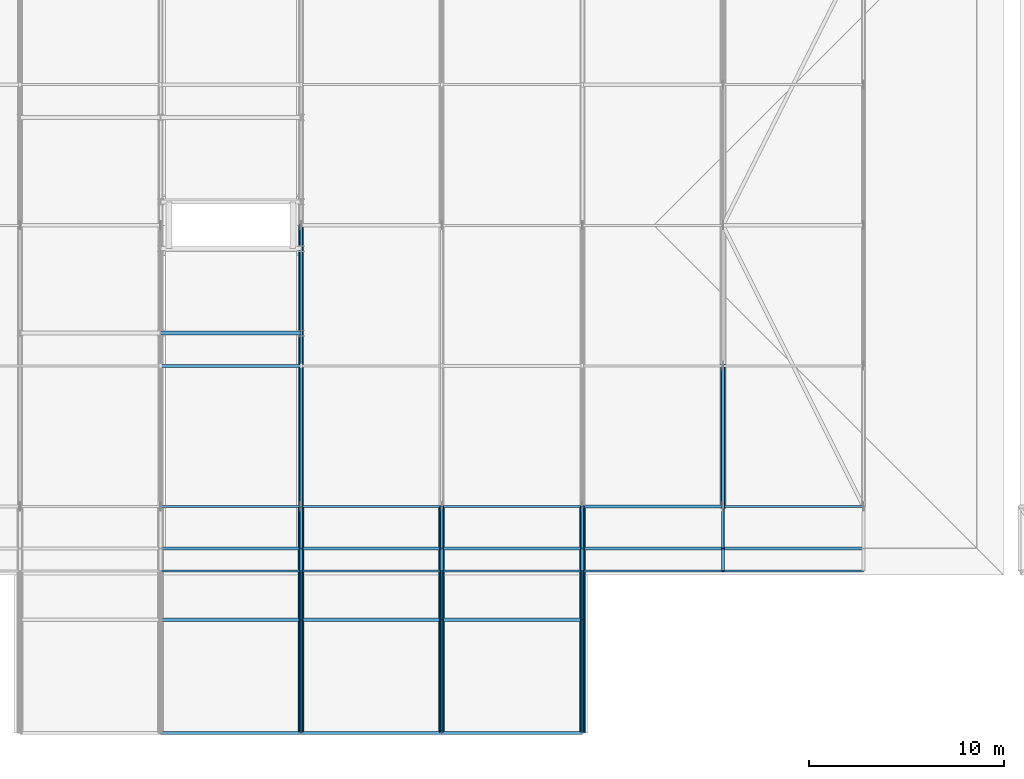
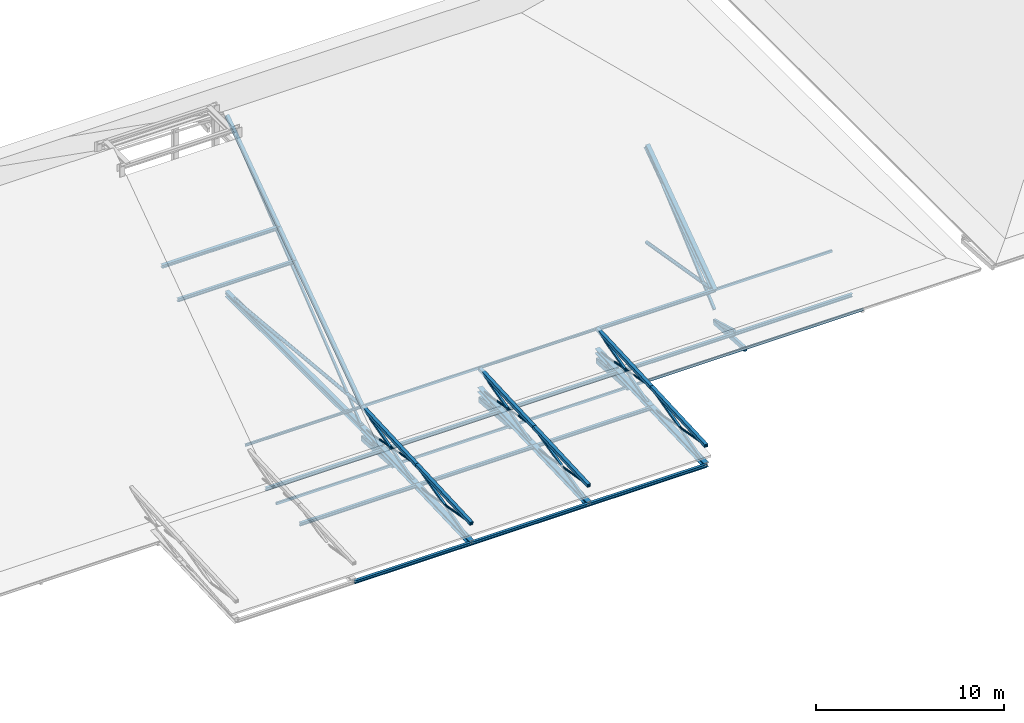
# One storey, part 8 of 100: 61 members, 1 beam.
"""IFC4 building model written with IfcOpenShell, lengths in metres."""

from ifc_helpers import new_model, si_unit, direction, frame, origin, origin_2d, place, context, subcontext, project, spatial, rectangle, hollow_rectangle, hollow_circle, i_section, extrude, material, material_profile, profile_set, type_object, element, save


model = new_model("IFC4")

# Units and contexts
model_context = context("Model", 3, precision=1e-05, world=origin(), true_north=direction((0.0, 1.0)))
body_context = subcontext(model_context, "Body", "Model", "MODEL_VIEW")
ifc_project = project(units=[si_unit("LENGTHUNIT", "METRE"), si_unit("AREAUNIT", "SQUARE_METRE"), si_unit("VOLUMEUNIT", "CUBIC_METRE"), si_unit("PLANEANGLEUNIT", "RADIAN"), si_unit("MASSUNIT", "GRAM", prefix="KILO")], contexts=[model_context])

# Site, building, storey
site_placement = place(None, origin())
site = spatial("IfcSite", under=ifc_project, at=site_placement, CompositionType="ELEMENT")
building_placement = place(site_placement, origin())
building = spatial("IfcBuilding", under=site, at=building_placement, Name="Steenspoor Specialist Clinic", CompositionType="ELEMENT")
storey_placement = place(building_placement, frame((0.0, 0.0, 9.0)))
storey = spatial("IfcBuildingStorey", under=building, at=storey_placement, Name="L02", CompositionType="ELEMENT", Elevation=9.0)

# Beam
ifc_material_1 = material(Name="Steel A992 Grade 50", Category="steel")
ifc_material_profile_1 = material_profile(ifc_material_1, i_section(OverallWidth=0.2041015625, OverallDepth=0.2060546875, WebThickness=0.0078125, FlangeThickness=0.0126953125, at=origin_2d()), Name="W200X52")
ifc_profile_set_1 = profile_set([ifc_material_profile_1], Name="Steel A992 Grade 50")
beam_type = type_object("IfcBeamType", Name="BM-ST-W200X52", PredefinedType="JOIST", material=ifc_profile_set_1)
beam_placement = place(storey_placement, frame((74.0, 21.924072265625, 7.814208984375), z_axis=(1.0, 0.0, 0.0), x_axis=(0.0, 1.0, 0.0)))
element("IfcBeam", 1, at=beam_placement, inside=storey, type_object=beam_type, Name="Roof Sub-Facet Bearer V1 M S", PredefinedType="JOIST", context=body_context, shape_type="SweptSolid", body=[
    extrude(i_section(OverallWidth=0.2041015625, OverallDepth=0.2060546875, WebThickness=0.0078125, FlangeThickness=0.0126953125, at=origin_2d()), origin(), (0.0, 0.0, 1.0), 7.199951171875),
])

# Members
ifc_material_2 = material(Name="Steel A500 Grade C", Category="steel")
ifc_material_profile_2 = material_profile(ifc_material_2, hollow_rectangle(XDim=0.126953125, YDim=0.126953125, WallThickness=0.0087890625, at=origin_2d()), Name="HSS127X127X9.5")
ifc_profile_set_2 = profile_set([ifc_material_profile_2], Name="Steel A500 Grade C")
member_type_1 = type_object("IfcMemberType", Name="MEM-BRACE-H127A", PredefinedType="BRACE", material=ifc_profile_set_2)
member_1_placement = place(storey_placement, frame((81.199951171875, 13.050048828125, 0.201416015625), z_axis=(0.0, 0.780678951437, 0.62493229616), x_axis=(-1.0, 0.0, 0.0)))
element("IfcMember", 2, at=member_1_placement, inside=storey, type_object=member_type_1, Name="ROOF TRUSS Web Brace V1 6.1", PredefinedType="BRACE", context=body_context, shape_type="SweptSolid", body=[
    extrude(hollow_rectangle(XDim=0.126953125, YDim=0.126953125, WallThickness=0.0087890625, at=origin_2d()), origin(), (0.0, 0.0, 1.0), 18.4453125),
])
member_2_placement = place(storey_placement, frame((81.199951171875, 13.050048828125, 1.580078125), z_axis=(0.0, -0.964051423942, -0.265715735319), x_axis=(1.0, 0.0, 0.0)))
element("IfcMember", 3, at=member_2_placement, inside=storey, type_object=member_type_1, Name="ROOF TRUSS Entrance Canopy Web Diagonal V1 6.1", PredefinedType="BRACE", context=body_context, shape_type="SweptSolid", body=[
    extrude(hollow_rectangle(XDim=0.126953125, YDim=0.126953125, WallThickness=0.0087890625, at=origin_2d()), origin(), (0.0, 0.0, 1.0), 6.016357421875),
])
member_3_placement = place(storey_placement, frame((81.199951171875, 7.25, 1.30029296875), z_axis=(0.0, -0.966560323044, -0.256439353292), x_axis=(1.0, 0.0, 0.0)))
element("IfcMember", 4, at=member_3_placement, inside=storey, type_object=member_type_1, Name="ROOF TRUSS Entrance Canopy Web Diagonal V1 6.2", PredefinedType="BRACE", context=body_context, shape_type="SweptSolid", body=[
    extrude(hollow_rectangle(XDim=0.126953125, YDim=0.126953125, WallThickness=0.0087890625, at=origin_2d()), origin(), (0.0, 0.0, 1.0), 6.000732421875),
])
member_4_placement = place(storey_placement, frame((88.39990234375, 13.050048828125, 1.514892578125), z_axis=(0.0, -0.966781869286, -0.25560285057), x_axis=(1.0, 0.0, 0.0)))
element("IfcMember", 5, at=member_4_placement, inside=storey, type_object=member_type_1, Name="ROOF TRUSS Entrance Canopy Web Diagonal V1 7.1", PredefinedType="BRACE", context=body_context, shape_type="SweptSolid", body=[
    extrude(hollow_rectangle(XDim=0.126953125, YDim=0.126953125, WallThickness=0.0087890625, at=origin_2d()), origin(), (0.0, 0.0, 1.0), 5.999267578125),
])
member_5_placement = place(storey_placement, frame((88.39990234375, 7.25, 1.23486328125), z_axis=(0.0, -0.96921639928, -0.246210420914), x_axis=(1.0, 0.0, 0.0)))
element("IfcMember", 6, at=member_5_placement, inside=storey, type_object=member_type_1, Name="ROOF TRUSS Entrance Canopy Web Diagonal V1 7.2", PredefinedType="BRACE", context=body_context, shape_type="SweptSolid", body=[
    extrude(hollow_rectangle(XDim=0.126953125, YDim=0.126953125, WallThickness=0.0087890625, at=origin_2d()), origin(), (0.0, 0.0, 1.0), 5.984375),
])
member_6_placement = place(storey_placement, frame((95.60009765625, 13.050048828125, 1.580078125), z_axis=(0.0, -0.964051423942, -0.265715735319), x_axis=(1.0, 0.0, 0.0)))
element("IfcMember", 7, at=member_6_placement, inside=storey, type_object=member_type_1, Name="ROOF TRUSS Entrance Canopy Web Diagonal V1 8.1", PredefinedType="BRACE", context=body_context, shape_type="SweptSolid", body=[
    extrude(hollow_rectangle(XDim=0.126953125, YDim=0.126953125, WallThickness=0.0087890625, at=origin_2d()), origin(), (0.0, 0.0, 1.0), 6.016357421875),
])
member_7_placement = place(storey_placement, frame((95.60009765625, 7.25, 1.30029296875), z_axis=(0.0, -0.966560323044, -0.256439353292), x_axis=(1.0, 0.0, 0.0)))
element("IfcMember", 8, at=member_7_placement, inside=storey, type_object=member_type_1, Name="ROOF TRUSS Entrance Canopy Web Diagonal V1 8.2", PredefinedType="BRACE", context=body_context, shape_type="SweptSolid", body=[
    extrude(hollow_rectangle(XDim=0.126953125, YDim=0.126953125, WallThickness=0.0087890625, at=origin_2d()), origin(), (0.0, 0.0, 1.0), 6.000732421875),
])
ifc_material_profile_3 = material_profile(ifc_material_2, hollow_rectangle(XDim=0.15234375, YDim=0.15234375, WallThickness=0.0087890625, at=origin_2d()), Name="HSS152X152X9.5")
ifc_profile_set_3 = profile_set([ifc_material_profile_3], Name="Steel A500 Grade C")
member_type_2 = type_object("IfcMemberType", Name="MEM-BRACE-H152", PredefinedType="BRACE", material=ifc_profile_set_3)
member_8_placement = place(storey_placement, frame((102.800048828125, 13.050048828125, 0.29150390625), z_axis=(0.0, 0.752698424237, 0.658365462453), x_axis=(-1.0, 0.0, 0.0)))
element("IfcMember", 9, at=member_8_placement, inside=storey, type_object=member_type_2, Name="ROOF TRUSS Web Brace V1 9.1", PredefinedType="BRACE", context=body_context, shape_type="SweptSolid", body=[
    extrude(hollow_rectangle(XDim=0.15234375, YDim=0.15234375, WallThickness=0.0087890625, at=origin_2d()), origin(), (0.0, 0.0, 1.0), 9.5654296875),
])
ifc_material_profile_4 = material_profile(ifc_material_2, hollow_rectangle(XDim=0.203125, YDim=0.203125, WallThickness=0.01171875, at=origin_2d()), Name="HSS203X203X12.7")
ifc_profile_set_4 = profile_set([ifc_material_profile_4], Name="Steel A500 Grade C")
member_type_3 = type_object("IfcMemberType", Name="MEM-CHORD-H203", PredefinedType="CHORD", material=ifc_profile_set_4)
member_9_placement = place(storey_placement, frame((81.199951171875, 13.050048828125, 1.580078125), z_axis=(0.0, 0.817400862254, 0.576069293042), x_axis=(-1.0, 0.0, 0.0)))
element("IfcMember", 10, at=member_9_placement, inside=storey, type_object=member_type_3, Name="ROOF TRUSS Top Chord V1 6.1", PredefinedType="CHORD", context=body_context, shape_type="SweptSolid", body=[
    extrude(hollow_rectangle(XDim=0.203125, YDim=0.203125, WallThickness=0.01171875, at=origin_2d()), origin(), (0.0, 0.0, 1.0), 17.61669921875),
])
for number, where, z_axis, x_axis, name in (
    (11, (81.199951171875, 13.050048828125, 1.580078125), (0.0, -0.998838554282, -0.048182387642), (1.0, 0.0, 0.0), "ROOF TRUSS Entrance Canopy Top Chord V1 6.1"),
    (12, (81.199951171875, 7.25, 1.30029296875), (0.0, -0.99883652998, -0.048224333876), (1.0, 0.0, 0.0), "ROOF TRUSS Entrance Canopy Top Chord V1 6.2"),
    (13, (88.39990234375, 13.050048828125, 1.514892578125), (0.0, -0.99883652998, -0.048224333876), (1.0, 0.0, 0.0), "ROOF TRUSS Entrance Canopy Top Chord V1 7.1"),
    (14, (88.39990234375, 7.25, 1.23486328125), (0.0, -0.99883652998, -0.048224333876), (1.0, 0.0, 0.0), "ROOF TRUSS Entrance Canopy Top Chord V1 7.2"),
    (15, (95.60009765625, 13.050048828125, 1.580078125), (0.0, -0.998838554282, -0.048182387642), (1.0, 0.0, 0.0), "ROOF TRUSS Entrance Canopy Top Chord V1 8.1"),
    (16, (95.60009765625, 7.25, 1.30029296875), (0.0, -0.99883652998, -0.048224333876), (1.0, 0.0, 0.0), "ROOF TRUSS Entrance Canopy Top Chord V1 8.2"),
):
    element("IfcMember", number, at=place(storey_placement, frame(where, z_axis=z_axis, x_axis=x_axis)), inside=storey, type_object=member_type_3, Name=name, PredefinedType="CHORD", context=body_context, shape_type="SweptSolid", body=[
        extrude(hollow_rectangle(XDim=0.203125, YDim=0.203125, WallThickness=0.01171875, at=origin_2d()), origin(), (0.0, 0.0, 1.0), 5.806884765625),
    ])
ifc_material_profile_5 = material_profile(ifc_material_1, i_section(OverallWidth=0.304931640625, OverallDepth=0.30810546875, WebThickness=0.010009765625, FlangeThickness=0.015380859375, at=origin_2d()), Name="W310X97")
ifc_profile_set_5 = profile_set([ifc_material_profile_5], Name="Steel A992 Grade 50")
member_type_4 = type_object("IfcMemberType", Name="MEM-CHORD-W310", PredefinedType="CHORD", material=ifc_profile_set_5)
for number, where, z_axis, x_axis, name in (
    (17, (81.199951171875, 13.050048828125, 0.201416015625), (0.0, -0.999281596901, -0.0378984181), (1.0, 0.0, 0.0), "ROOF TRUSS Entrance Canopy Bottom Chord V1 6.1"),
    (18, (81.199951171875, 7.25, -0.0185546875), (0.0, -0.999281596901, -0.0378984181), (1.0, 0.0, 0.0), "ROOF TRUSS Entrance Canopy Bottom Chord V1 6.2"),
    (19, (88.39990234375, 13.050048828125, 0.201416015625), (0.0, -0.999281596901, -0.0378984181), (1.0, 0.0, 0.0), "ROOF TRUSS Entrance Canopy Bottom Chord V1 7.1"),
    (20, (88.39990234375, 7.25, -0.0185546875), (0.0, -0.999281596901, -0.0378984181), (1.0, 0.0, 0.0), "ROOF TRUSS Entrance Canopy Bottom Chord V1 7.2"),
    (21, (95.60009765625, 13.050048828125, 0.201416015625), (0.0, -0.999281596901, -0.0378984181), (1.0, 0.0, 0.0), "ROOF TRUSS Entrance Canopy Bottom Chord V1 8.1"),
    (22, (95.60009765625, 7.25, -0.0185546875), (0.0, -0.999281596901, -0.0378984181), (1.0, 0.0, 0.0), "ROOF TRUSS Entrance Canopy Bottom Chord V1 8.2"),
):
    element("IfcMember", number, at=place(storey_placement, frame(where, z_axis=z_axis, x_axis=x_axis)), inside=storey, type_object=member_type_4, Name=name, PredefinedType="CHORD", context=body_context, shape_type="SweptSolid", body=[
        extrude(i_section(OverallWidth=0.304931640625, OverallDepth=0.30810546875, WebThickness=0.010009765625, FlangeThickness=0.015380859375, at=origin_2d()), origin(), (0.0, 0.0, 1.0), 5.80419921875),
    ])
ifc_material_profile_6 = material_profile(ifc_material_1, i_section(OverallWidth=0.257080078125, OverallDepth=0.363037109375, WebThickness=0.012939453125, FlangeThickness=0.021728515625, at=origin_2d()), Name="W360X122")
ifc_profile_set_6 = profile_set([ifc_material_profile_6], Name="Steel A992 Grade 50")
member_type_5 = type_object("IfcMemberType", Name="MEM-CHORD-W360", PredefinedType="CHORD", material=ifc_profile_set_6)
member_10_placement = place(storey_placement, frame((81.199951171875, 13.050048828125, 0.201416015625), z_axis=(0.0, 1.0, 0.0), x_axis=(-1.0, 0.0, 0.0)))
element("IfcMember", 23, at=member_10_placement, inside=storey, type_object=member_type_5, Name="ROOF TRUSS Bottom Chord V1 6.1", PredefinedType="CHORD", context=body_context, shape_type="SweptSolid", body=[
    extrude(i_section(OverallWidth=0.257080078125, OverallDepth=0.363037109375, WebThickness=0.012939453125, FlangeThickness=0.021728515625, at=origin_2d()), origin(), (0.0, 0.0, 1.0), 14.39990234375),
])
member_11_placement = place(storey_placement, frame((102.800048828125, 13.050048828125, 1.514892578125), z_axis=(0.0, 0.817400862254, 0.576069293042), x_axis=(-1.0, 0.0, 0.0)))
element("IfcMember", 24, at=member_11_placement, inside=storey, type_object=member_type_5, Name="ROOF TRUSS Top Chord V1 9.1", PredefinedType="CHORD", context=body_context, shape_type="SweptSolid", body=[
    extrude(i_section(OverallWidth=0.257080078125, OverallDepth=0.363037109375, WebThickness=0.012939453125, FlangeThickness=0.021728515625, at=origin_2d()), origin(), (0.0, 0.0, 1.0), 8.808349609375),
])
ifc_material_profile_7 = material_profile(ifc_material_2, hollow_rectangle(XDim=0.1015625, YDim=0.15234375, WallThickness=0.005859375, at=origin_2d()), Name="HSS152X102X6.4")
ifc_profile_set_7 = profile_set([ifc_material_profile_7], Name="Steel A500 Grade C")
member_type_6 = type_object("IfcMemberType", Name="MEM-PURLIN-H152", PredefinedType="PURLIN", material=ifc_profile_set_7)
for number, where, z_axis, x_axis, name in (
    (25, (74.0, 9.75, -0.19482421875), (1.0, 0.0, 0.0), (0.0, 1.0, 0.0), "ROOF TRUSS Eave Fascia 5"),
    (26, (81.199951171875, 9.75, -0.19482421875), (1.0, 0.0, 0.0), (0.0, 1.0, 0.0), "ROOF TRUSS Eave Fascia 6"),
):
    element("IfcMember", number, at=place(storey_placement, frame(where, z_axis=z_axis, x_axis=x_axis)), inside=storey, type_object=member_type_6, Name=name, PredefinedType="PURLIN", context=body_context, shape_type="SweptSolid", body=[
        extrude(hollow_rectangle(XDim=0.1015625, YDim=0.15234375, WallThickness=0.005859375, at=origin_2d()), origin(), (0.0, 0.0, 1.0), 7.199951171875),
    ])
member_12_placement = place(storey_placement, frame((88.39990234375, 9.75, -0.19482421875), z_axis=(1.0, 0.0, 0.0), x_axis=(0.0, 1.0, 0.0)))
element("IfcMember", 27, at=member_12_placement, inside=storey, type_object=member_type_6, Name="ROOF TRUSS Eave Fascia 7", PredefinedType="PURLIN", context=body_context, shape_type="SweptSolid", body=[
    extrude(hollow_rectangle(XDim=0.1015625, YDim=0.15234375, WallThickness=0.005859375, at=origin_2d()), origin(), (0.0, 0.0, 1.0), 7.2001953125),
])
for number, where, z_axis, x_axis, name in (
    (28, (95.60009765625, 9.75, -0.19482421875), (1.0, 0.0, 0.0), (0.0, 1.0, 0.0), "ROOF TRUSS Eave Fascia 8"),
    (29, (102.800048828125, 9.75, -0.19482421875), (1.0, 0.0, 0.0), (0.0, 1.0, 0.0), "ROOF TRUSS Eave Fascia 9"),
    (30, (81.199951171875, 13.050048828125, 1.587158203125), (1.0, 0.0, 0.0), (0.0, 1.0, 0.0), "ROOF TRUSS Purlin 62"),
    (31, (102.800048828125, 13.050048828125, 1.587158203125), (1.0, 0.0, 0.0), (0.0, 1.0, 0.0), "ROOF TRUSS Purlin 77"),
):
    element("IfcMember", number, at=place(storey_placement, frame(where, z_axis=z_axis, x_axis=x_axis)), inside=storey, type_object=member_type_6, Name=name, PredefinedType="PURLIN", context=body_context, shape_type="SweptSolid", body=[
        extrude(hollow_rectangle(XDim=0.1015625, YDim=0.15234375, WallThickness=0.005859375, at=origin_2d()), origin(), (0.0, 0.0, 1.0), 7.199951171875),
    ])
ifc_material_profile_8 = material_profile(ifc_material_1, i_section(OverallWidth=0.10205078125, OverallDepth=0.159912109375, WebThickness=0.006591796875, FlangeThickness=0.01025390625, at=origin_2d()), Name="W150X24")
ifc_profile_set_8 = profile_set([ifc_material_profile_8], Name="Steel A992 Grade 50")
member_type_7 = type_object("IfcMemberType", Name="MEM-PURLIN-W150", PredefinedType="PURLIN", material=ifc_profile_set_8)
member_13_placement = place(storey_placement, frame((74.0, 13.050048828125, 1.583251953125), z_axis=(1.0, 0.0, 0.0), x_axis=(0.0, 1.0, 0.0)))
element("IfcMember", 32, at=member_13_placement, inside=storey, type_object=member_type_7, Name="ROOF TRUSS Purlin 58", PredefinedType="PURLIN", context=body_context, shape_type="SweptSolid", body=[
    extrude(i_section(OverallWidth=0.10205078125, OverallDepth=0.159912109375, WebThickness=0.006591796875, FlangeThickness=0.01025390625, at=origin_2d()), origin(), (0.0, 0.0, 1.0), 7.199951171875),
])
member_14_placement = place(storey_placement, frame((88.39990234375, 13.050048828125, 1.583251953125), z_axis=(1.0, 0.0, 0.0), x_axis=(0.0, 1.0, 0.0)))
element("IfcMember", 33, at=member_14_placement, inside=storey, type_object=member_type_7, Name="ROOF TRUSS Purlin 67", PredefinedType="PURLIN", context=body_context, shape_type="SweptSolid", body=[
    extrude(i_section(OverallWidth=0.10205078125, OverallDepth=0.159912109375, WebThickness=0.006591796875, FlangeThickness=0.01025390625, at=origin_2d()), origin(), (0.0, 0.0, 1.0), 7.2001953125),
])
ifc_material_profile_9 = material_profile(ifc_material_1, i_section(OverallWidth=0.1650390625, OverallDepth=0.200927734375, WebThickness=0.006103515625, FlangeThickness=0.01025390625, at=origin_2d()), Name="W200X36")
ifc_profile_set_9 = profile_set([ifc_material_profile_9], Name="Steel A992 Grade 50")
member_type_8 = type_object("IfcMemberType", Name="MEM-PURLIN-W200", PredefinedType="PURLIN", material=ifc_profile_set_9)
for number, where, z_axis, x_axis, name in (
    (34, (74.0, 10.89990234375, 0.049560546875), (1.0, 0.0, 0.0), (0.0, 1.0, 0.0), "ROOF TRUSS Knuckle Purlin 30"),
    (35, (81.199951171875, 10.89990234375, 0.049560546875), (1.0, 0.0, 0.0), (0.0, 1.0, 0.0), "ROOF TRUSS Knuckle Purlin 32"),
):
    element("IfcMember", number, at=place(storey_placement, frame(where, z_axis=z_axis, x_axis=x_axis)), inside=storey, type_object=member_type_8, Name=name, PredefinedType="PURLIN", context=body_context, shape_type="SweptSolid", body=[
        extrude(i_section(OverallWidth=0.1650390625, OverallDepth=0.200927734375, WebThickness=0.006103515625, FlangeThickness=0.01025390625, at=origin_2d()), origin(), (0.0, 0.0, 1.0), 7.199951171875),
    ])
member_15_placement = place(storey_placement, frame((88.39990234375, 10.89990234375, 0.049560546875), z_axis=(1.0, 0.0, 0.0), x_axis=(0.0, 1.0, 0.0)))
element("IfcMember", 36, at=member_15_placement, inside=storey, type_object=member_type_8, Name="ROOF TRUSS Knuckle Purlin 34", PredefinedType="PURLIN", context=body_context, shape_type="SweptSolid", body=[
    extrude(i_section(OverallWidth=0.1650390625, OverallDepth=0.200927734375, WebThickness=0.006103515625, FlangeThickness=0.01025390625, at=origin_2d()), origin(), (0.0, 0.0, 1.0), 7.2001953125),
])
for number, where, z_axis, x_axis, name in (
    (37, (95.60009765625, 10.89990234375, 0.049560546875), (1.0, 0.0, 0.0), (0.0, 1.0, 0.0), "ROOF TRUSS Knuckle Purlin 36"),
    (38, (102.800048828125, 10.89990234375, 0.049560546875), (1.0, 0.0, 0.0), (0.0, 1.0, 0.0), "ROOF TRUSS Knuckle Purlin 38"),
    (39, (74.0, 20.25, 6.636962890625), (1.0, 0.0, 0.0), (0.0, 1.0, 0.0), "ROOF TRUSS Purlin 59"),
    (40, (95.60009765625, 13.050048828125, 1.562744140625), (1.0, 0.0, 0.0), (0.0, 1.0, 0.0), "ROOF TRUSS Purlin 72"),
    (41, (74.0, 7.25, -0.0185546875), (1.0, 0.0, 0.0), (0.0, 1.0, 0.0), "ROOF TRUSS Canopy Purlin 88"),
    (42, (74.0, 1.449951171875, -0.238525390625), (1.0, 0.0, 0.0), (0.0, 1.0, 0.0), "ROOF TRUSS Canopy Purlin 89"),
    (43, (81.199951171875, 7.25, -0.0185546875), (1.0, 0.0, 0.0), (0.0, 1.0, 0.0), "ROOF TRUSS Canopy Purlin 90"),
    (44, (81.199951171875, 1.449951171875, -0.238525390625), (1.0, 0.0, 0.0), (0.0, 1.0, 0.0), "ROOF TRUSS Canopy Purlin 91"),
):
    element("IfcMember", number, at=place(storey_placement, frame(where, z_axis=z_axis, x_axis=x_axis)), inside=storey, type_object=member_type_8, Name=name, PredefinedType="PURLIN", context=body_context, shape_type="SweptSolid", body=[
        extrude(i_section(OverallWidth=0.1650390625, OverallDepth=0.200927734375, WebThickness=0.006103515625, FlangeThickness=0.01025390625, at=origin_2d()), origin(), (0.0, 0.0, 1.0), 7.199951171875),
    ])
for number, where, z_axis, x_axis, name in (
    (45, (88.39990234375, 7.25, -0.0185546875), (1.0, 0.0, 0.0), (0.0, 1.0, 0.0), "ROOF TRUSS Canopy Purlin 92"),
    (46, (88.39990234375, 1.449951171875, -0.238525390625), (1.0, 0.0, 0.0), (0.0, 1.0, 0.0), "ROOF TRUSS Canopy Purlin 93"),
):
    element("IfcMember", number, at=place(storey_placement, frame(where, z_axis=z_axis, x_axis=x_axis)), inside=storey, type_object=member_type_8, Name=name, PredefinedType="PURLIN", context=body_context, shape_type="SweptSolid", body=[
        extrude(i_section(OverallWidth=0.1650390625, OverallDepth=0.200927734375, WebThickness=0.006103515625, FlangeThickness=0.01025390625, at=origin_2d()), origin(), (0.0, 0.0, 1.0), 7.2001953125),
    ])
ifc_material_3 = material(Name="Glulam GL28h", Category="wood")
ifc_material_profile_10 = material_profile(ifc_material_3, rectangle(XDim=0.139892578125, YDim=0.219970703125, at=origin_2d()), Name="GL28H-140X220")
ifc_profile_set_10 = profile_set([ifc_material_profile_10], Name="Glulam GL28h")
member_type_9 = type_object("IfcMemberType", Name="MEM-RAFTER-GL220", PredefinedType="RAFTER", material=ifc_profile_set_10)
for number, where, z_axis, x_axis, name in (
    (47, (81.199951171875, 13.050048828125, -0.42333984375), (0.0, -0.963218029425, 0.268721096661), (1.0, 0.0, 0.0), "ROOF TRUSS Knuckle Rafter V1 18"),
    (48, (88.39990234375, 13.050048828125, -0.42333984375), (0.0, -0.963218029425, 0.268721096661), (1.0, 0.0, 0.0), "ROOF TRUSS Knuckle Rafter V1 22"),
    (49, (95.60009765625, 13.050048828125, -0.42333984375), (0.0, -0.963218029425, 0.268721096661), (1.0, 0.0, 0.0), "ROOF TRUSS Knuckle Rafter V1 26"),
    (50, (102.800048828125, 13.050048828125, -0.42333984375), (0.0, -0.963218029425, 0.268721096661), (1.0, 0.0, 0.0), "ROOF TRUSS Knuckle Rafter V1 30"),
):
    element("IfcMember", number, at=place(storey_placement, frame(where, z_axis=z_axis, x_axis=x_axis)), inside=storey, type_object=member_type_9, Name=name, PredefinedType="RAFTER", context=body_context, shape_type="SweptSolid", body=[
        extrude(rectangle(XDim=0.139892578125, YDim=0.219970703125, at=origin_2d()), origin(), (0.0, 0.0, 1.0), 2.232177734375),
    ])
ifc_material_profile_11 = material_profile(ifc_material_3, rectangle(XDim=0.159912109375, YDim=0.280029296875, at=origin_2d()), Name="GL28H-160X280")
ifc_profile_set_11 = profile_set([ifc_material_profile_11], Name="Glulam GL28h")
member_type_10 = type_object("IfcMemberType", Name="MEM-RAFTER-GL280", PredefinedType="RAFTER", material=ifc_profile_set_11)
for number, where, z_axis, x_axis, name in (
    (51, (81.199951171875, 13.050048828125, -0.5), (0.0, -0.997518653982, 0.070402663009), (1.0, 0.0, 0.0), "ROOF TRUSS Flared Eave Glulam Outrigger V1 17"),
    (52, (88.39990234375, 13.050048828125, -0.5), (0.0, -0.997518653982, 0.070402663009), (1.0, 0.0, 0.0), "ROOF TRUSS Flared Eave Glulam Outrigger V1 21"),
    (53, (95.60009765625, 13.050048828125, -0.5), (0.0, -0.997518653982, 0.070402663009), (1.0, 0.0, 0.0), "ROOF TRUSS Flared Eave Glulam Outrigger V1 25"),
    (54, (102.800048828125, 13.050048828125, -0.5), (0.0, -0.997518653982, 0.070402663009), (1.0, 0.0, 0.0), "ROOF TRUSS Flared Eave Glulam Outrigger V1 29"),
):
    element("IfcMember", number, at=place(storey_placement, frame(where, z_axis=z_axis, x_axis=x_axis)), inside=storey, type_object=member_type_10, Name=name, PredefinedType="RAFTER", context=body_context, shape_type="SweptSolid", body=[
        extrude(rectangle(XDim=0.159912109375, YDim=0.280029296875, at=origin_2d()), origin(), (0.0, 0.0, 1.0), 3.308349609375),
    ])
ifc_material_profile_12 = material_profile(ifc_material_2, hollow_circle(Radius=0.05712890625, WallThickness=0.006103515625, at=origin_2d()), Name="CHS114X6.0")
ifc_profile_set_12 = profile_set([ifc_material_profile_12], Name="Steel A500 Grade C")
member_type_11 = type_object("IfcMemberType", Name="MEM-STRUT-CHS114", PredefinedType="STRUT", material=ifc_profile_set_12)
member_16_placement = place(storey_placement, frame((81.199951171875, 13.050048828125, 0.201416015625), z_axis=(0.0, -0.982521621863, 0.186148496022), x_axis=(1.0, 0.0, 0.0)))
element("IfcMember", 55, at=member_16_placement, inside=storey, type_object=member_type_11, Name="ROOF TRUSS Entrance Canopy Web Strut V1 6.1", PredefinedType="STRUT", context=body_context, shape_type="SweptSolid", body=[
    extrude(hollow_circle(Radius=0.05712890625, WallThickness=0.006103515625, at=origin_2d()), origin(), (0.0, 0.0, 1.0), 5.9033203125),
])
member_17_placement = place(storey_placement, frame((81.199951171875, 7.25, -0.0185546875), z_axis=(0.0, -0.98433653593, 0.176299699473), x_axis=(1.0, 0.0, 0.0)))
element("IfcMember", 56, at=member_17_placement, inside=storey, type_object=member_type_11, Name="ROOF TRUSS Entrance Canopy Web Strut V1 6.2", PredefinedType="STRUT", context=body_context, shape_type="SweptSolid", body=[
    extrude(hollow_circle(Radius=0.05712890625, WallThickness=0.006103515625, at=origin_2d()), origin(), (0.0, 0.0, 1.0), 5.892333984375),
])
member_18_placement = place(storey_placement, frame((88.39990234375, 13.050048828125, 0.201416015625), z_axis=(0.0, -0.984494351595, 0.175416281109), x_axis=(1.0, 0.0, 0.0)))
element("IfcMember", 57, at=member_18_placement, inside=storey, type_object=member_type_11, Name="ROOF TRUSS Entrance Canopy Web Strut V1 7.1", PredefinedType="STRUT", context=body_context, shape_type="SweptSolid", body=[
    extrude(hollow_circle(Radius=0.05712890625, WallThickness=0.006103515625, at=origin_2d()), origin(), (0.0, 0.0, 1.0), 5.891357421875),
])
member_19_placement = place(storey_placement, frame((88.39990234375, 7.25, -0.0185546875), z_axis=(0.0, -0.986208175951, 0.165509618113), x_axis=(1.0, 0.0, 0.0)))
element("IfcMember", 58, at=member_19_placement, inside=storey, type_object=member_type_11, Name="ROOF TRUSS Entrance Canopy Web Strut V1 7.2", PredefinedType="STRUT", context=body_context, shape_type="SweptSolid", body=[
    extrude(hollow_circle(Radius=0.05712890625, WallThickness=0.006103515625, at=origin_2d()), origin(), (0.0, 0.0, 1.0), 5.881103515625),
])
member_20_placement = place(storey_placement, frame((95.60009765625, 13.050048828125, 0.201416015625), z_axis=(0.0, -0.982521621863, 0.186148496022), x_axis=(1.0, 0.0, 0.0)))
element("IfcMember", 59, at=member_20_placement, inside=storey, type_object=member_type_11, Name="ROOF TRUSS Entrance Canopy Web Strut V1 8.1", PredefinedType="STRUT", context=body_context, shape_type="SweptSolid", body=[
    extrude(hollow_circle(Radius=0.05712890625, WallThickness=0.006103515625, at=origin_2d()), origin(), (0.0, 0.0, 1.0), 5.9033203125),
])
member_21_placement = place(storey_placement, frame((95.60009765625, 7.25, -0.0185546875), z_axis=(0.0, -0.98433653593, 0.176299699473), x_axis=(1.0, 0.0, 0.0)))
element("IfcMember", 60, at=member_21_placement, inside=storey, type_object=member_type_11, Name="ROOF TRUSS Entrance Canopy Web Strut V1 8.2", PredefinedType="STRUT", context=body_context, shape_type="SweptSolid", body=[
    extrude(hollow_circle(Radius=0.05712890625, WallThickness=0.006103515625, at=origin_2d()), origin(), (0.0, 0.0, 1.0), 5.892333984375),
])
ifc_material_profile_13 = material_profile(ifc_material_2, hollow_circle(Radius=0.109619140625, WallThickness=0.00830078125, at=origin_2d()), Name="CHS219X8.2")
ifc_profile_set_13 = profile_set([ifc_material_profile_13], Name="Steel A500 Grade C")
member_type_12 = type_object("IfcMemberType", Name="MEM-STRUT-CHS219", PredefinedType="STRUT", material=ifc_profile_set_13)
member_22_placement = place(storey_placement, frame((81.199951171875, 13.050048828125, 1.580078125), z_axis=(0.0, 0.995448092914, -0.095305269077), x_axis=(-1.0, 0.0, 0.0)))
element("IfcMember", 61, at=member_22_placement, inside=storey, type_object=member_type_12, Name="ROOF TRUSS Web Strut V1 6.1", PredefinedType="STRUT", context=body_context, shape_type="SweptSolid", body=[
    extrude(hollow_circle(Radius=0.109619140625, WallThickness=0.00830078125, at=origin_2d()), origin(), (0.0, 0.0, 1.0), 14.4658203125),
])
member_23_placement = place(storey_placement, frame((102.800048828125, 13.050048828125, 1.514892578125), z_axis=(0.0, 0.985869486176, -0.167515241776), x_axis=(-1.0, 0.0, 0.0)))
element("IfcMember", 62, at=member_23_placement, inside=storey, type_object=member_type_12, Name="ROOF TRUSS Web Strut V1 9.1", PredefinedType="STRUT", context=body_context, shape_type="SweptSolid", body=[
    extrude(hollow_circle(Radius=0.109619140625, WallThickness=0.00830078125, at=origin_2d()), origin(), (0.0, 0.0, 1.0), 7.30322265625),
])

save(model, "model.ifc")
